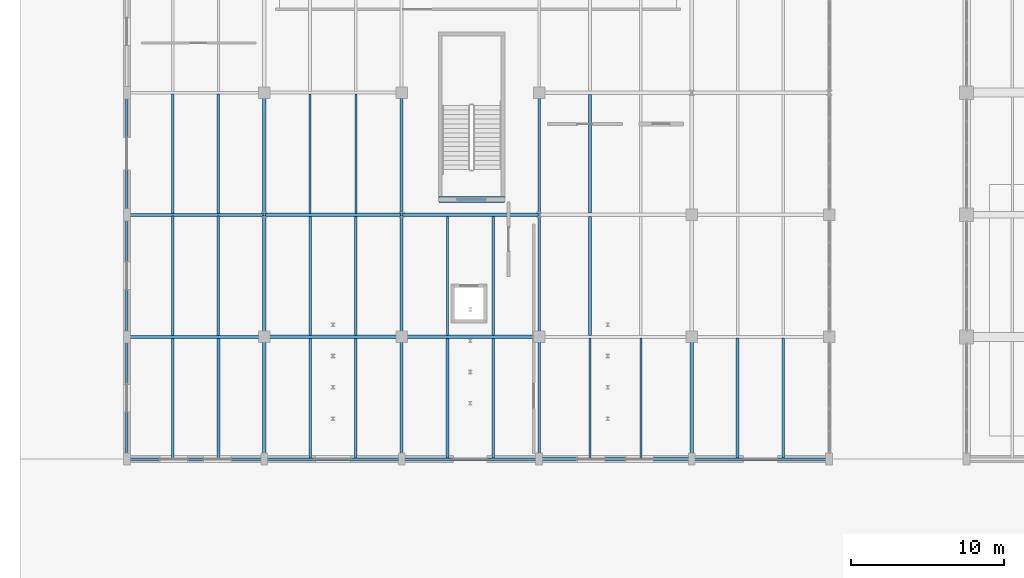
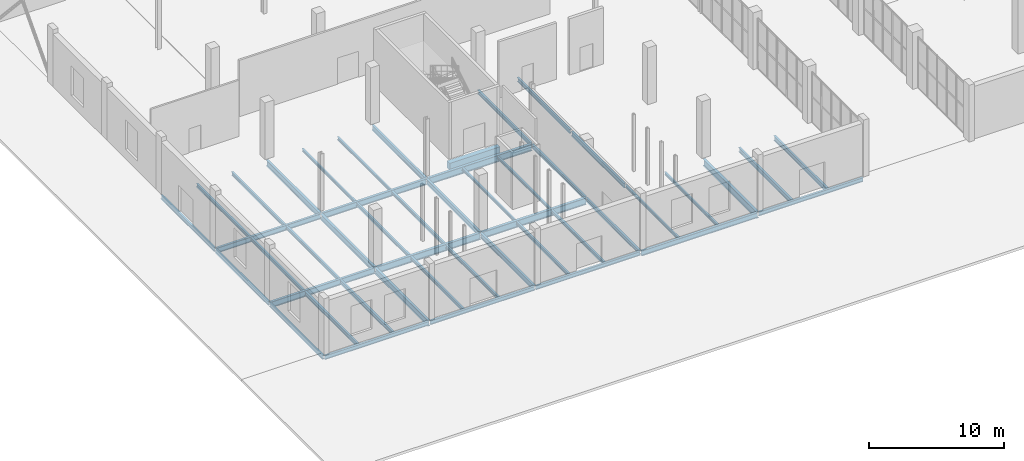
# One storey, part 29 of 103: 47 beams.
"""IFC4 building model written with IfcOpenShell, lengths in metres."""

from ifc_helpers import new_model, si_unit, direction, frame, origin, origin_2d, place, context, subcontext, project, spatial, rectangle, i_section, extrude, material, material_profile, profile_set, type_object, element, save


model = new_model("IFC4")

# Units and contexts
model_context = context("Model", 3, precision=1e-05, world=origin(), true_north=direction((0.0, 1.0)))
body_context = subcontext(model_context, "Body", "Model", "MODEL_VIEW")
ifc_project = project(units=[si_unit("LENGTHUNIT", "METRE"), si_unit("AREAUNIT", "SQUARE_METRE"), si_unit("VOLUMEUNIT", "CUBIC_METRE"), si_unit("PLANEANGLEUNIT", "RADIAN"), si_unit("MASSUNIT", "GRAM", prefix="KILO")], contexts=[model_context])

# Site, building, storey
site_placement = place(None, origin())
site = spatial("IfcSite", under=ifc_project, at=site_placement, CompositionType="ELEMENT")
building_placement = place(site_placement, origin())
building = spatial("IfcBuilding", under=site, at=building_placement, Name="Marnock Terrace Opera House", CompositionType="ELEMENT")
storey_placement = place(building_placement, origin())
storey = spatial("IfcBuildingStorey", under=building, at=storey_placement, Name="L00", CompositionType="ELEMENT", Elevation=0.0)

# Beams
ifc_material_1 = material(Name="Steel Grade 350 (AS/NZS 3679.1)", Category="steel")
ifc_material_profile_1 = material_profile(ifc_material_1, i_section(OverallWidth=0.1708984375, OverallDepth=0.355712890625, WebThickness=0.00732421875, FlangeThickness=0.011474609375, FilletRadius=0.011474609375, at=origin_2d()))
ifc_profile_set_1 = profile_set([ifc_material_profile_1], Name="Steel Grade 350 (AS/NZS 3679.1)")
beam_type_1 = type_object("IfcBeamType", Name="BM-GIRD-360", PredefinedType="BEAM", material=ifc_profile_set_1)
for number, where, z_axis, x_axis, name in (
    (1, (27.0, 8.050048828125, -0.477783203125), (0.0, 1.0, 0.0), (-1.0, 0.0, 0.0), "L00 girder (X=27.0, 8.0..16.0)"),
    (2, (27.0, 16.050048828125, -0.477783203125), (0.0, 1.0, 0.0), (-1.0, 0.0, 0.0), "L00 girder (X=27.0, 16.0..24.0)"),
    (3, (27.0, 24.050048828125, -0.477783203125), (0.0, 1.0, 0.0), (-1.0, 0.0, 0.0), "L00 girder (X=27.0, 24.0..32.0)"),
):
    element("IfcBeam", number, at=place(storey_placement, frame(where, z_axis=z_axis, x_axis=x_axis)), inside=storey, type_object=beam_type_1, Name=name, PredefinedType="BEAM", context=body_context, shape_type="SweptSolid", body=[
        extrude(i_section(OverallWidth=0.1708984375, OverallDepth=0.355712890625, WebThickness=0.00732421875, FlangeThickness=0.011474609375, FilletRadius=0.011474609375, at=origin_2d()), origin(), (0.0, 0.0, 1.0), 7.89990234375),
    ])
ifc_material_profile_2 = material_profile(ifc_material_1, i_section(OverallWidth=0.19091796875, OverallDepth=0.46044921875, WebThickness=0.010009765625, FlangeThickness=0.01611328125, FilletRadius=0.011474609375, at=origin_2d()))
ifc_profile_set_2 = profile_set([ifc_material_profile_2], Name="Steel Grade 350 (AS/NZS 3679.1)")
beam_type_2 = type_object("IfcBeamType", Name="BM-GIRD-460A", PredefinedType="BEAM", material=ifc_profile_set_2)
beam_1_placement = place(storey_placement, frame((0.050048828125, 24.0, -0.5302734375), z_axis=(1.0, 0.0, 0.0), x_axis=(0.0, 1.0, 0.0)))
element("IfcBeam", 4, at=beam_1_placement, inside=storey, type_object=beam_type_2, Name="L00 girder (0.0..9.0, Y=24.0)", PredefinedType="BEAM", context=body_context, shape_type="SweptSolid", body=[
    extrude(i_section(OverallWidth=0.19091796875, OverallDepth=0.46044921875, WebThickness=0.010009765625, FlangeThickness=0.01611328125, FilletRadius=0.011474609375, at=origin_2d()), origin(), (0.0, 0.0, 1.0), 8.89990234375),
])
ifc_material_profile_3 = material_profile(ifc_material_1, i_section(OverallWidth=0.18994140625, OverallDepth=0.45751953125, WebThickness=0.009033203125, FlangeThickness=0.014404296875, FilletRadius=0.011474609375, at=origin_2d()))
ifc_profile_set_3 = profile_set([ifc_material_profile_3], Name="Steel Grade 350 (AS/NZS 3679.1)")
beam_type_3 = type_object("IfcBeamType", Name="BM-GIRD-460B", PredefinedType="BEAM", material=ifc_profile_set_3)
for number, where, z_axis, x_axis, name in (
    (5, (18.0, 8.050048828125, -0.52880859375), (0.0, 1.0, 0.0), (-1.0, 0.0, 0.0), "L00 girder (X=18.0, 8.0..16.0)"),
    (6, (18.0, 16.050048828125, -0.52880859375), (0.0, 1.0, 0.0), (-1.0, 0.0, 0.0), "L00 girder (X=18.0, 16.0..24.0)"),
    (7, (18.0, 24.050048828125, -0.52880859375), (0.0, 1.0, 0.0), (-1.0, 0.0, 0.0), "L00 girder (X=18.0, 24.0..32.0)"),
):
    element("IfcBeam", number, at=place(storey_placement, frame(where, z_axis=z_axis, x_axis=x_axis)), inside=storey, type_object=beam_type_3, Name=name, PredefinedType="BEAM", context=body_context, shape_type="SweptSolid", body=[
        extrude(i_section(OverallWidth=0.18994140625, OverallDepth=0.45751953125, WebThickness=0.009033203125, FlangeThickness=0.014404296875, FilletRadius=0.011474609375, at=origin_2d()), origin(), (0.0, 0.0, 1.0), 7.89990234375),
    ])
ifc_material_profile_4 = material_profile(ifc_material_1, i_section(OverallWidth=0.208984375, OverallDepth=0.532958984375, WebThickness=0.01025390625, FlangeThickness=0.015625, FilletRadius=0.013916015625, at=origin_2d()))
ifc_profile_set_4 = profile_set([ifc_material_profile_4], Name="Steel Grade 350 (AS/NZS 3679.1)")
beam_type_4 = type_object("IfcBeamType", Name="BM-GIRD-530A", PredefinedType="BEAM", material=ifc_profile_set_4)
for number, where, z_axis, x_axis, name in (
    (8, (0.050048828125, 16.0, -0.56640625), (1.0, 0.0, 0.0), (0.0, 1.0, 0.0), "L00 girder (0.0..9.0, Y=16.0)"),
    (9, (9.050048828125, 24.0, -0.56640625), (1.0, 0.0, 0.0), (0.0, 1.0, 0.0), "L00 girder (9.0..18.0, Y=24.0)"),
):
    element("IfcBeam", number, at=place(storey_placement, frame(where, z_axis=z_axis, x_axis=x_axis)), inside=storey, type_object=beam_type_4, Name=name, PredefinedType="BEAM", context=body_context, shape_type="SweptSolid", body=[
        extrude(i_section(OverallWidth=0.208984375, OverallDepth=0.532958984375, WebThickness=0.01025390625, FlangeThickness=0.015625, FilletRadius=0.013916015625, at=origin_2d()), origin(), (0.0, 0.0, 1.0), 8.89990234375),
    ])
ifc_material_profile_5 = material_profile(ifc_material_1, i_section(OverallWidth=0.208984375, OverallDepth=0.528076171875, WebThickness=0.009521484375, FlangeThickness=0.01318359375, FilletRadius=0.013916015625, at=origin_2d()))
ifc_profile_set_5 = profile_set([ifc_material_profile_5], Name="Steel Grade 350 (AS/NZS 3679.1)")
beam_type_5 = type_object("IfcBeamType", Name="BM-GIRD-530B", PredefinedType="BEAM", material=ifc_profile_set_5)
for number, where, z_axis, x_axis, name in (
    (10, (9.0, 8.050048828125, -0.56396484375), (0.0, 1.0, 0.0), (-1.0, 0.0, 0.0), "L00 girder (X=9.0, 8.0..16.0)"),
    (11, (9.0, 16.050048828125, -0.56396484375), (0.0, 1.0, 0.0), (-1.0, 0.0, 0.0), "L00 girder (X=9.0, 16.0..24.0)"),
    (12, (9.0, 24.050048828125, -0.56396484375), (0.0, 1.0, 0.0), (-1.0, 0.0, 0.0), "L00 girder (X=9.0, 24.0..32.0)"),
):
    element("IfcBeam", number, at=place(storey_placement, frame(where, z_axis=z_axis, x_axis=x_axis)), inside=storey, type_object=beam_type_5, Name=name, PredefinedType="BEAM", context=body_context, shape_type="SweptSolid", body=[
        extrude(i_section(OverallWidth=0.208984375, OverallDepth=0.528076171875, WebThickness=0.009521484375, FlangeThickness=0.01318359375, FilletRadius=0.013916015625, at=origin_2d()), origin(), (0.0, 0.0, 1.0), 7.89990234375),
    ])
ifc_material_profile_6 = material_profile(ifc_material_1, i_section(OverallWidth=0.22900390625, OverallDepth=0.611572265625, WebThickness=0.011962890625, FlangeThickness=0.01953125, FilletRadius=0.013916015625, at=origin_2d()))
ifc_profile_set_6 = profile_set([ifc_material_profile_6], Name="Steel Grade 350 (AS/NZS 3679.1)")
beam_type_6 = type_object("IfcBeamType", Name="BM-GIRD-610A", PredefinedType="BEAM", material=ifc_profile_set_6)
beam_2_placement = place(storey_placement, frame((18.050048828125, 16.0, -0.605712890625), z_axis=(1.0, 0.0, 0.0), x_axis=(0.0, 1.0, 0.0)))
element("IfcBeam", 13, at=beam_2_placement, inside=storey, type_object=beam_type_6, Name="L00 girder (18.0..27.0, Y=16.0)", PredefinedType="BEAM", context=body_context, shape_type="SweptSolid", body=[
    extrude(i_section(OverallWidth=0.22900390625, OverallDepth=0.611572265625, WebThickness=0.011962890625, FlangeThickness=0.01953125, FilletRadius=0.013916015625, at=origin_2d()), origin(), (0.0, 0.0, 1.0), 8.89990234375),
])
ifc_material_profile_7 = material_profile(ifc_material_1, i_section(OverallWidth=0.22802734375, OverallDepth=0.60693359375, WebThickness=0.01123046875, FlangeThickness=0.017333984375, FilletRadius=0.013916015625, at=origin_2d()))
ifc_profile_set_7 = profile_set([ifc_material_profile_7], Name="Steel Grade 350 (AS/NZS 3679.1)")
beam_type_7 = type_object("IfcBeamType", Name="BM-GIRD-610B", PredefinedType="BEAM", material=ifc_profile_set_7)
for number, where, z_axis, x_axis, name in (
    (14, (9.050048828125, 16.0, -0.603515625), (1.0, 0.0, 0.0), (0.0, 1.0, 0.0), "L00 girder (9.0..18.0, Y=16.0)"),
    (15, (18.050048828125, 24.0, -0.603515625), (1.0, 0.0, 0.0), (0.0, 1.0, 0.0), "L00 girder (18.0..27.0, Y=24.0)"),
):
    element("IfcBeam", number, at=place(storey_placement, frame(where, z_axis=z_axis, x_axis=x_axis)), inside=storey, type_object=beam_type_7, Name=name, PredefinedType="BEAM", context=body_context, shape_type="SweptSolid", body=[
        extrude(i_section(OverallWidth=0.22802734375, OverallDepth=0.60693359375, WebThickness=0.01123046875, FlangeThickness=0.017333984375, FilletRadius=0.013916015625, at=origin_2d()), origin(), (0.0, 0.0, 1.0), 8.89990234375),
    ])
ifc_material_profile_8 = material_profile(ifc_material_1, i_section(OverallWidth=0.22802734375, OverallDepth=0.60205078125, WebThickness=0.010498046875, FlangeThickness=0.014892578125, FilletRadius=0.013916015625, at=origin_2d()))
ifc_profile_set_8 = profile_set([ifc_material_profile_8], Name="Steel Grade 350 (AS/NZS 3679.1)")
beam_type_8 = type_object("IfcBeamType", Name="BM-GIRD-610C", PredefinedType="BEAM", material=ifc_profile_set_8)
beam_3_placement = place(storey_placement, frame((37.0, 8.050048828125, -0.60107421875), z_axis=(0.0, 1.0, 0.0), x_axis=(-1.0, 0.0, 0.0)))
element("IfcBeam", 16, at=beam_3_placement, inside=storey, type_object=beam_type_8, Name="L00 girder (X=37.0, 8.0..16.0)", PredefinedType="BEAM", context=body_context, shape_type="SweptSolid", body=[
    extrude(i_section(OverallWidth=0.22802734375, OverallDepth=0.60205078125, WebThickness=0.010498046875, FlangeThickness=0.014892578125, FilletRadius=0.013916015625, at=origin_2d()), origin(), (0.0, 0.0, 1.0), 7.89990234375),
])
ifc_material_profile_9 = material_profile(ifc_material_1, i_section(OverallWidth=0.14599609375, OverallDepth=0.256103515625, WebThickness=0.00634765625, FlangeThickness=0.010986328125, FilletRadius=0.0087890625, at=origin_2d()))
ifc_profile_set_9 = profile_set([ifc_material_profile_9], Name="Steel Grade 350 (AS/NZS 3679.1)")
beam_type_9 = type_object("IfcBeamType", Name="BM-JOIST-250", PredefinedType="JOIST", material=ifc_profile_set_9)
for number, where, z_axis, x_axis, name in (
    (17, (12.0, 24.099609375, -0.427978515625), (0.0, 1.0, 0.0), (-1.0, 0.0, 0.0), "L00 secondary joist 1.3.1"),
    (18, (15.0, 24.099609375, -0.427978515625), (0.0, 1.0, 0.0), (-1.0, 0.0, 0.0), "L00 secondary joist 1.3.2"),
):
    element("IfcBeam", number, at=place(storey_placement, frame(where, z_axis=z_axis, x_axis=x_axis)), inside=storey, type_object=beam_type_9, Name=name, PredefinedType="JOIST", context=body_context, shape_type="SweptSolid", body=[
        extrude(i_section(OverallWidth=0.14599609375, OverallDepth=0.256103515625, WebThickness=0.00634765625, FlangeThickness=0.010986328125, FilletRadius=0.0087890625, at=origin_2d()), origin(), (0.0, 0.0, 1.0), 7.809814453125),
    ])
for number, where, z_axis, x_axis, name in (
    (19, (21.0, 16.109619140625, -0.427978515625), (0.0, 1.0, 0.0), (-1.0, 0.0, 0.0), "L00 secondary joist 2.2.1"),
    (20, (24.0, 16.109619140625, -0.427978515625), (0.0, 1.0, 0.0), (-1.0, 0.0, 0.0), "L00 secondary joist 2.2.2"),
):
    element("IfcBeam", number, at=place(storey_placement, frame(where, z_axis=z_axis, x_axis=x_axis)), inside=storey, type_object=beam_type_9, Name=name, PredefinedType="JOIST", context=body_context, shape_type="SweptSolid", body=[
        extrude(i_section(OverallWidth=0.14599609375, OverallDepth=0.256103515625, WebThickness=0.00634765625, FlangeThickness=0.010986328125, FilletRadius=0.0087890625, at=origin_2d()), origin(), (0.0, 0.0, 1.0), 7.781494140625),
    ])
for number, where, z_axis, x_axis, name in (
    (21, (30.333251953125, 8.090576171875, -0.427978515625), (0.0, 1.0, 0.0), (-1.0, 0.0, 0.0), "L00 secondary joist 3.1.1"),
    (22, (33.666748046875, 8.090576171875, -0.427978515625), (0.0, 1.0, 0.0), (-1.0, 0.0, 0.0), "L00 secondary joist 3.1.2"),
):
    element("IfcBeam", number, at=place(storey_placement, frame(where, z_axis=z_axis, x_axis=x_axis)), inside=storey, type_object=beam_type_9, Name=name, PredefinedType="JOIST", context=body_context, shape_type="SweptSolid", body=[
        extrude(i_section(OverallWidth=0.14599609375, OverallDepth=0.256103515625, WebThickness=0.00634765625, FlangeThickness=0.010986328125, FilletRadius=0.0087890625, at=origin_2d()), origin(), (0.0, 0.0, 1.0), 7.825439453125),
    ])
ifc_material_profile_10 = material_profile(ifc_material_1, i_section(OverallWidth=0.166015625, OverallDepth=0.30712890625, WebThickness=0.006591796875, FlangeThickness=0.01171875, FilletRadius=0.011474609375, at=origin_2d()))
ifc_profile_set_10 = profile_set([ifc_material_profile_10], Name="Steel Grade 350 (AS/NZS 3679.1)")
beam_type_10 = type_object("IfcBeamType", Name="BM-JOIST-310A", PredefinedType="JOIST", material=ifc_profile_set_10)
for number, where, z_axis, x_axis, name in (
    (23, (3.0, 16.099609375, -0.45361328125), (0.0, 1.0, 0.0), (-1.0, 0.0, 0.0), "L00 secondary joist 0.2.1"),
    (24, (6.0, 16.099609375, -0.45361328125), (0.0, 1.0, 0.0), (-1.0, 0.0, 0.0), "L00 secondary joist 0.2.2"),
):
    element("IfcBeam", number, at=place(storey_placement, frame(where, z_axis=z_axis, x_axis=x_axis)), inside=storey, type_object=beam_type_10, Name=name, PredefinedType="JOIST", context=body_context, shape_type="SweptSolid", body=[
        extrude(i_section(OverallWidth=0.166015625, OverallDepth=0.30712890625, WebThickness=0.006591796875, FlangeThickness=0.01171875, FilletRadius=0.011474609375, at=origin_2d()), origin(), (0.0, 0.0, 1.0), 7.809814453125),
    ])
for number, where, z_axis, x_axis, name in (
    (25, (12.0, 8.0810546875, -0.45361328125), (0.0, 1.0, 0.0), (-1.0, 0.0, 0.0), "L00 secondary joist 1.1.1"),
    (26, (15.0, 8.0810546875, -0.45361328125), (0.0, 1.0, 0.0), (-1.0, 0.0, 0.0), "L00 secondary joist 1.1.2"),
):
    element("IfcBeam", number, at=place(storey_placement, frame(where, z_axis=z_axis, x_axis=x_axis)), inside=storey, type_object=beam_type_10, Name=name, PredefinedType="JOIST", context=body_context, shape_type="SweptSolid", body=[
        extrude(i_section(OverallWidth=0.166015625, OverallDepth=0.30712890625, WebThickness=0.006591796875, FlangeThickness=0.01171875, FilletRadius=0.011474609375, at=origin_2d()), origin(), (0.0, 0.0, 1.0), 7.81005859375),
    ])
ifc_material_profile_11 = material_profile(ifc_material_1, i_section(OverallWidth=0.1650390625, OverallDepth=0.3037109375, WebThickness=0.006103515625, FlangeThickness=0.01025390625, FilletRadius=0.011474609375, at=origin_2d()))
ifc_profile_set_11 = profile_set([ifc_material_profile_11], Name="Steel Grade 350 (AS/NZS 3679.1)")
beam_type_11 = type_object("IfcBeamType", Name="BM-JOIST-310B", PredefinedType="JOIST", material=ifc_profile_set_11)
for number, where, z_axis, x_axis, name in (
    (27, (3.0, 24.090576171875, -0.451904296875), (0.0, 1.0, 0.0), (-1.0, 0.0, 0.0), "L00 secondary joist 0.3.1"),
    (28, (6.0, 24.090576171875, -0.451904296875), (0.0, 1.0, 0.0), (-1.0, 0.0, 0.0), "L00 secondary joist 0.3.2"),
):
    element("IfcBeam", number, at=place(storey_placement, frame(where, z_axis=z_axis, x_axis=x_axis)), inside=storey, type_object=beam_type_11, Name=name, PredefinedType="JOIST", context=body_context, shape_type="SweptSolid", body=[
        extrude(i_section(OverallWidth=0.1650390625, OverallDepth=0.3037109375, WebThickness=0.006103515625, FlangeThickness=0.01025390625, FilletRadius=0.011474609375, at=origin_2d()), origin(), (0.0, 0.0, 1.0), 7.825439453125),
    ])
for number, where, z_axis, x_axis, name in (
    (29, (12.0, 16.10888671875, -0.451904296875), (0.0, 1.0, 0.0), (-1.0, 0.0, 0.0), "L00 secondary joist 1.2.1"),
    (30, (15.0, 16.10888671875, -0.451904296875), (0.0, 1.0, 0.0), (-1.0, 0.0, 0.0), "L00 secondary joist 1.2.2"),
):
    element("IfcBeam", number, at=place(storey_placement, frame(where, z_axis=z_axis, x_axis=x_axis)), inside=storey, type_object=beam_type_11, Name=name, PredefinedType="JOIST", context=body_context, shape_type="SweptSolid", body=[
        extrude(i_section(OverallWidth=0.1650390625, OverallDepth=0.3037109375, WebThickness=0.006103515625, FlangeThickness=0.01025390625, FilletRadius=0.011474609375, at=origin_2d()), origin(), (0.0, 0.0, 1.0), 7.79150390625),
    ])
for number, where, z_axis, x_axis, name in (
    (31, (21.0, 8.0810546875, -0.451904296875), (0.0, 1.0, 0.0), (-1.0, 0.0, 0.0), "L00 secondary joist 2.1.1"),
    (32, (24.0, 8.0810546875, -0.451904296875), (0.0, 1.0, 0.0), (-1.0, 0.0, 0.0), "L00 secondary joist 2.1.2"),
):
    element("IfcBeam", number, at=place(storey_placement, frame(where, z_axis=z_axis, x_axis=x_axis)), inside=storey, type_object=beam_type_11, Name=name, PredefinedType="JOIST", context=body_context, shape_type="SweptSolid", body=[
        extrude(i_section(OverallWidth=0.1650390625, OverallDepth=0.3037109375, WebThickness=0.006103515625, FlangeThickness=0.01025390625, FilletRadius=0.011474609375, at=origin_2d()), origin(), (0.0, 0.0, 1.0), 7.809326171875),
    ])
ifc_material_profile_12 = material_profile(ifc_material_1, i_section(OverallWidth=0.172119140625, OverallDepth=0.358642578125, WebThickness=0.008056640625, FlangeThickness=0.012939453125, FilletRadius=0.011474609375, at=origin_2d()))
ifc_profile_set_12 = profile_set([ifc_material_profile_12], Name="Steel Grade 350 (AS/NZS 3679.1)")
beam_type_12 = type_object("IfcBeamType", Name="BM-JOIST-360", PredefinedType="JOIST", material=ifc_profile_set_12)
for number, where, z_axis, x_axis, name in (
    (33, (3.0, 8.0810546875, -0.479248046875), (0.0, 1.0, 0.0), (-1.0, 0.0, 0.0), "L00 secondary joist 0.1.1"),
    (34, (6.0, 8.0810546875, -0.479248046875), (0.0, 1.0, 0.0), (-1.0, 0.0, 0.0), "L00 secondary joist 0.1.2"),
):
    element("IfcBeam", number, at=place(storey_placement, frame(where, z_axis=z_axis, x_axis=x_axis)), inside=storey, type_object=beam_type_12, Name=name, PredefinedType="JOIST", context=body_context, shape_type="SweptSolid", body=[
        extrude(i_section(OverallWidth=0.172119140625, OverallDepth=0.358642578125, WebThickness=0.008056640625, FlangeThickness=0.012939453125, FilletRadius=0.011474609375, at=origin_2d()), origin(), (0.0, 0.0, 1.0), 7.8193359375),
    ])
beam_4_placement = place(storey_placement, frame((30.333251953125, 24.109619140625, -0.479248046875), z_axis=(0.0, 1.0, 0.0), x_axis=(-1.0, 0.0, 0.0)))
element("IfcBeam", 35, at=beam_4_placement, inside=storey, type_object=beam_type_12, Name="L00 secondary joist 3.3.1", PredefinedType="JOIST", context=body_context, shape_type="SweptSolid", body=[
    extrude(i_section(OverallWidth=0.172119140625, OverallDepth=0.358642578125, WebThickness=0.008056640625, FlangeThickness=0.012939453125, FilletRadius=0.011474609375, at=origin_2d()), origin(), (0.0, 0.0, 1.0), 7.781494140625),
])
ifc_material_profile_13 = material_profile(ifc_material_1, i_section(OverallWidth=0.177978515625, OverallDepth=0.406494140625, WebThickness=0.0078125, FlangeThickness=0.0126953125, FilletRadius=0.011474609375, at=origin_2d()))
ifc_profile_set_13 = profile_set([ifc_material_profile_13], Name="Steel Grade 350 (AS/NZS 3679.1)")
beam_type_13 = type_object("IfcBeamType", Name="BM-JOIST-410", PredefinedType="JOIST", material=ifc_profile_set_13)
beam_5_placement = place(storey_placement, frame((30.333251953125, 16.083984375, -0.503173828125), z_axis=(0.0, 1.0, 0.0), x_axis=(-1.0, 0.0, 0.0)))
element("IfcBeam", 36, at=beam_5_placement, inside=storey, type_object=beam_type_13, Name="L00 secondary joist 3.2.1", PredefinedType="JOIST", context=body_context, shape_type="SweptSolid", body=[
    extrude(i_section(OverallWidth=0.177978515625, OverallDepth=0.406494140625, WebThickness=0.0078125, FlangeThickness=0.0126953125, FilletRadius=0.011474609375, at=origin_2d()), origin(), (0.0, 0.0, 1.0), 7.806396484375),
])
for number, where, z_axis, x_axis, name in (
    (37, (40.0, 8.0810546875, -0.503173828125), (0.0, 1.0, 0.0), (-1.0, 0.0, 0.0), "L00 secondary joist 4.1.1"),
    (38, (43.0, 8.0810546875, -0.503173828125), (0.0, 1.0, 0.0), (-1.0, 0.0, 0.0), "L00 secondary joist 4.1.2"),
):
    element("IfcBeam", number, at=place(storey_placement, frame(where, z_axis=z_axis, x_axis=x_axis)), inside=storey, type_object=beam_type_13, Name=name, PredefinedType="JOIST", context=body_context, shape_type="SweptSolid", body=[
        extrude(i_section(OverallWidth=0.177978515625, OverallDepth=0.406494140625, WebThickness=0.0078125, FlangeThickness=0.0126953125, FilletRadius=0.011474609375, at=origin_2d()), origin(), (0.0, 0.0, 1.0), 7.8349609375),
    ])
ifc_material_2 = material(Name="Concrete N40 (f'c = 40 MPa)", Category="concrete")
ifc_material_profile_14 = material_profile(ifc_material_2, rectangle(XDim=0.39990234375, YDim=0.64990234375, at=origin_2d()))
ifc_profile_set_14 = profile_set([ifc_material_profile_14], Name="Concrete N40 (f'c = 40 MPa)")
beam_type_14 = type_object("IfcBeamType", Name="BM-LINT-RC400", PredefinedType="LINTEL", material=ifc_profile_set_14)
beam_6_placement = place(storey_placement, frame((20.43994140625, 25.0, -0.64990234375), z_axis=(1.0, 0.0, 0.0), x_axis=(0.0, 1.0, 0.0)))
element("IfcBeam", 39, at=beam_6_placement, inside=storey, type_object=beam_type_14, Name="B1 Core C5 coupling lintel", PredefinedType="LINTEL", context=body_context, shape_type="SweptSolid", body=[
    extrude(rectangle(XDim=0.39990234375, YDim=0.64990234375, at=origin_2d()), origin(), (0.0, 0.0, 1.0), 4.280029296875),
])
ifc_material_profile_15 = material_profile(ifc_material_1, i_section(OverallWidth=0.172119140625, OverallDepth=0.358642578125, WebThickness=0.008056640625, FlangeThickness=0.012939453125, FilletRadius=0.011474609375, at=origin_2d()))
ifc_profile_set_15 = profile_set([ifc_material_profile_15], Name="Steel Grade 350 (AS/NZS 3679.1)")
beam_type_15 = type_object("IfcBeamType", Name="BM-SPAN-360", PredefinedType="SPANDREL", material=ifc_profile_set_15)
for number, where, z_axis, x_axis, name in (
    (40, (0.050048828125, 8.0, -0.479248046875), (1.0, 0.0, 0.0), (0.0, 1.0, 0.0), "L00 girder (0.0..9.0, Y=8.0)"),
    (41, (9.050048828125, 8.0, -0.479248046875), (1.0, 0.0, 0.0), (0.0, 1.0, 0.0), "L00 girder (9.0..18.0, Y=8.0)"),
    (42, (18.050048828125, 8.0, -0.479248046875), (1.0, 0.0, 0.0), (0.0, 1.0, 0.0), "L00 girder (18.0..27.0, Y=8.0)"),
    (43, (37.050048828125, 8.0, -0.479248046875), (1.0, 0.0, 0.0), (0.0, 1.0, 0.0), "L00 girder (37.0..46.0, Y=8.0)"),
):
    element("IfcBeam", number, at=place(storey_placement, frame(where, z_axis=z_axis, x_axis=x_axis)), inside=storey, type_object=beam_type_15, Name=name, PredefinedType="SPANDREL", context=body_context, shape_type="SweptSolid", body=[
        extrude(i_section(OverallWidth=0.172119140625, OverallDepth=0.358642578125, WebThickness=0.008056640625, FlangeThickness=0.012939453125, FilletRadius=0.011474609375, at=origin_2d()), origin(), (0.0, 0.0, 1.0), 8.89990234375),
    ])
for number, where, z_axis, x_axis, name in (
    (44, (0.0, 8.050048828125, -0.479248046875), (0.0, 1.0, 0.0), (-1.0, 0.0, 0.0), "L00 girder (X=0.0, 8.0..16.0)"),
    (45, (0.0, 16.050048828125, -0.479248046875), (0.0, 1.0, 0.0), (-1.0, 0.0, 0.0), "L00 girder (X=0.0, 16.0..24.0)"),
    (46, (0.0, 24.050048828125, -0.479248046875), (0.0, 1.0, 0.0), (-1.0, 0.0, 0.0), "L00 girder (X=0.0, 24.0..32.0)"),
):
    element("IfcBeam", number, at=place(storey_placement, frame(where, z_axis=z_axis, x_axis=x_axis)), inside=storey, type_object=beam_type_15, Name=name, PredefinedType="SPANDREL", context=body_context, shape_type="SweptSolid", body=[
        extrude(i_section(OverallWidth=0.172119140625, OverallDepth=0.358642578125, WebThickness=0.008056640625, FlangeThickness=0.012939453125, FilletRadius=0.011474609375, at=origin_2d()), origin(), (0.0, 0.0, 1.0), 7.89990234375),
    ])
ifc_material_profile_16 = material_profile(ifc_material_1, i_section(OverallWidth=0.19091796875, OverallDepth=0.46044921875, WebThickness=0.010009765625, FlangeThickness=0.01611328125, FilletRadius=0.011474609375, at=origin_2d()))
ifc_profile_set_16 = profile_set([ifc_material_profile_16], Name="Steel Grade 350 (AS/NZS 3679.1)")
beam_type_16 = type_object("IfcBeamType", Name="BM-SPAN-460", PredefinedType="SPANDREL", material=ifc_profile_set_16)
beam_7_placement = place(storey_placement, frame((27.050048828125, 8.0, -0.5302734375), z_axis=(1.0, 0.0, 0.0), x_axis=(0.0, 1.0, 0.0)))
element("IfcBeam", 47, at=beam_7_placement, inside=storey, type_object=beam_type_16, Name="L00 girder (27.0..37.0, Y=8.0)", PredefinedType="SPANDREL", context=body_context, shape_type="SweptSolid", body=[
    extrude(i_section(OverallWidth=0.19091796875, OverallDepth=0.46044921875, WebThickness=0.010009765625, FlangeThickness=0.01611328125, FilletRadius=0.011474609375, at=origin_2d()), origin(), (0.0, 0.0, 1.0), 9.89990234375),
])

save(model, "model.ifc")
